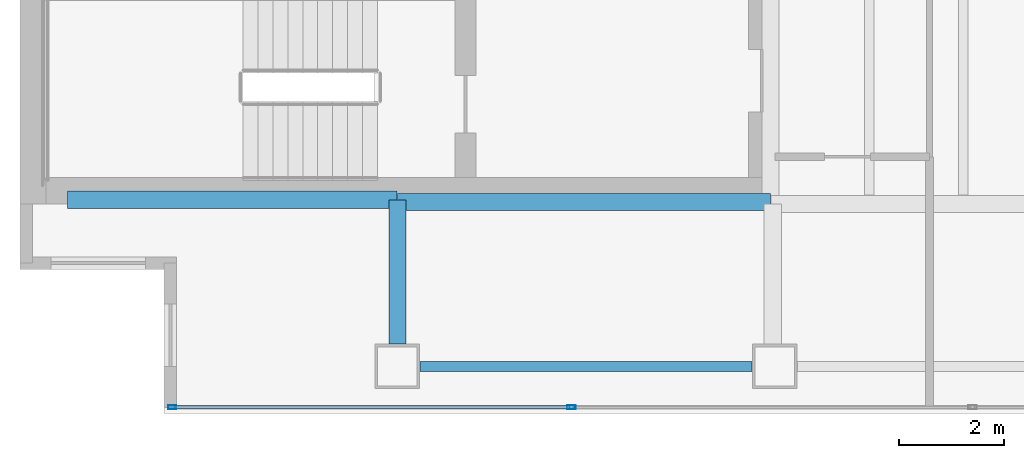
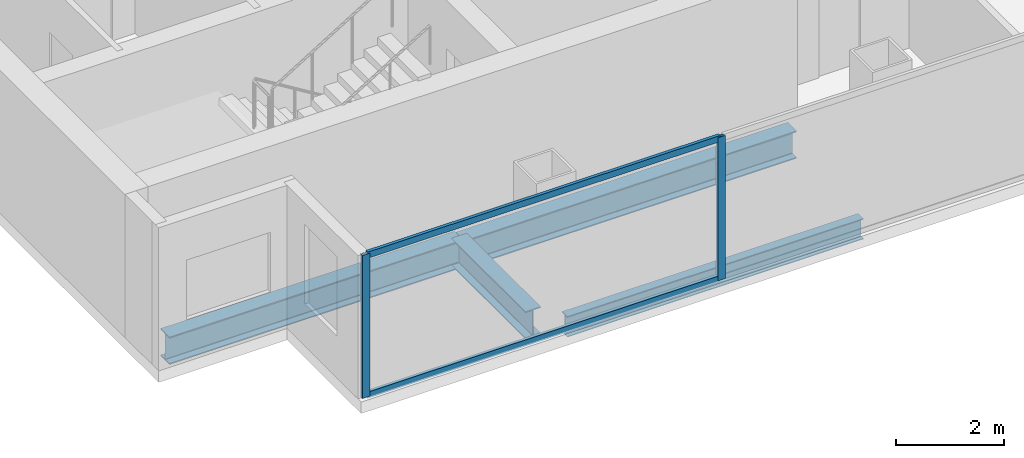
# One storey, part 2 of 23: 4 beams, 4 members, 1 element without a shape of its own.
"""IFC4 building model written with IfcOpenShell, lengths in metres."""

from ifc_helpers import new_model, si_unit, direction, frame, origin, origin_2d, place, context, subcontext, project, spatial, hollow_rectangle, i_section, extrude, material, material_profile, profile_set, type_object, element, aggregate, save


model = new_model("IFC4")

# Units and contexts
model_context = context("Model", 3, precision=1e-05, world=origin(), true_north=direction((0.0, 1.0)))
body_context = subcontext(model_context, "Body", "Model", "MODEL_VIEW")
ifc_project = project(units=[si_unit("LENGTHUNIT", "METRE"), si_unit("AREAUNIT", "SQUARE_METRE"), si_unit("VOLUMEUNIT", "CUBIC_METRE"), si_unit("PLANEANGLEUNIT", "RADIAN"), si_unit("MASSUNIT", "GRAM", prefix="KILO")], contexts=[model_context])

# Site, building, storey
site_placement = place(None, origin())
site = spatial("IfcSite", under=ifc_project, at=site_placement, CompositionType="ELEMENT")
building_placement = place(site_placement, origin())
building = spatial("IfcBuilding", under=site, at=building_placement, Name="Cobrela Telecom Tower", CompositionType="ELEMENT")
storey_placement = place(building_placement, frame((0.0, 0.0, 183.75)))
storey = spatial("IfcBuildingStorey", under=building, at=storey_placement, Name="L46", CompositionType="ELEMENT", Elevation=183.75)

# Beams
ifc_material_1 = material(Name="Steel ASTM A992 Grade 50", Category="steel")
ifc_material_profile_1 = material_profile(ifc_material_1, i_section(OverallWidth=0.327880859375, OverallDepth=0.6220703125, WebThickness=0.015380859375, FlangeThickness=0.0244140625, FilletRadius=0.014892578125, at=origin_2d()), Name="W24X131")
ifc_profile_set_1 = profile_set([ifc_material_profile_1], Name="Steel ASTM A992 Grade 50")
beam_type_1 = type_object("IfcBeamType", Name="BM-GIRD-06", PredefinedType="USERDEFINED", material=ifc_profile_set_1)
beam_1_placement = place(storey_placement, frame((0.905029296875, 7.280029296875, -0.571044921875), z_axis=(1.0, 0.0, 0.0), x_axis=(0.0, 1.0, 0.0)))
element("IfcBeam", 1, at=beam_1_placement, inside=storey, type_object=beam_type_1, Name="L46 Primary Girder X05", ObjectType="GIRDER", PredefinedType="USERDEFINED", context=body_context, shape_type="SweptSolid", body=[
    extrude(i_section(OverallWidth=0.327880859375, OverallDepth=0.6220703125, WebThickness=0.015380859375, FlangeThickness=0.0244140625, FilletRadius=0.014892578125, at=origin_2d()), origin(), (0.0, 0.0, 1.0), 6.2900390625),
])
beam_2_placement = place(storey_placement, frame((7.205078125, 7.239990234375, -0.571044921875), z_axis=(1.0, 0.0, 0.0), x_axis=(0.0, 1.0, 0.0)))
element("IfcBeam", 2, at=beam_2_placement, inside=storey, type_object=beam_type_1, Name="L46 Primary Girder X06", ObjectType="GIRDER", PredefinedType="USERDEFINED", context=body_context, shape_type="SweptSolid", body=[
    extrude(i_section(OverallWidth=0.327880859375, OverallDepth=0.6220703125, WebThickness=0.015380859375, FlangeThickness=0.0244140625, FilletRadius=0.014892578125, at=origin_2d()), origin(), (0.0, 0.0, 1.0), 7.10986328125),
])
beam_3_placement = place(storey_placement, frame((7.199951171875, 4.530029296875, -0.571044921875), z_axis=(0.0, 1.0, 0.0), x_axis=(-1.0, 0.0, 0.0)))
element("IfcBeam", 3, at=beam_3_placement, inside=storey, type_object=beam_type_1, Name="L46 Primary Girder Y24", ObjectType="GIRDER", PredefinedType="USERDEFINED", context=body_context, shape_type="SweptSolid", body=[
    extrude(i_section(OverallWidth=0.327880859375, OverallDepth=0.6220703125, WebThickness=0.015380859375, FlangeThickness=0.0244140625, FilletRadius=0.014892578125, at=origin_2d()), origin(), (0.0, 0.0, 1.0), 2.744873046875),
])
ifc_material_profile_2 = material_profile(ifc_material_1, i_section(OverallWidth=0.193115234375, OverallDepth=0.467041015625, WebThickness=0.011474609375, FlangeThickness=0.01904296875, FilletRadius=0.012939453125, at=origin_2d()), Name="W18X65")
ifc_profile_set_2 = profile_set([ifc_material_profile_2], Name="Steel ASTM A992 Grade 50")
beam_type_2 = type_object("IfcBeamType", Name="BM-SPAND-05", PredefinedType="SPANDREL", material=ifc_profile_set_2)
beam_4_placement = place(storey_placement, frame((7.6298828125, 4.10009765625, -0.493408203125), z_axis=(1.0, 0.0, 0.0), x_axis=(0.0, 1.0, 0.0)))
element("IfcBeam", 4, at=beam_4_placement, inside=storey, type_object=beam_type_2, Name="L46 Perimeter Spandrel X01", PredefinedType="SPANDREL", context=body_context, shape_type="SweptSolid", body=[
    extrude(i_section(OverallWidth=0.193115234375, OverallDepth=0.467041015625, WebThickness=0.011474609375, FlangeThickness=0.01904296875, FilletRadius=0.012939453125, at=origin_2d()), origin(), (0.0, 0.0, 1.0), 6.340087890625),
])

# Curtain wall, members
ifc_material_2 = material(Name="Anodized Bronze Aluminium 6063-T6", Category="aluminium")
curtain_wall_type = type_object("IfcCurtainWallType", Name="CW-SYS-OFF-LO", PredefinedType="USERDEFINED", material=ifc_material_2)
curtain_wall_placement = place(storey_placement, origin())
curtain_wall = element("IfcCurtainWall", 5, at=curtain_wall_placement, inside=storey, type_object=curtain_wall_type, Name="L46 Unitised Bronze Curtain Wall 17", ObjectType="UNITISED CURTAIN WALL", PredefinedType="USERDEFINED")
ifc_material_profile_3 = material_profile(ifc_material_2, hollow_rectangle(XDim=0.070068359375, YDim=0.159912109375, WallThickness=0.00390625, at=origin_2d()), Name="ALU 70x160x4")
ifc_profile_set_3 = profile_set([ifc_material_profile_3], Name="Anodized Bronze Aluminium 6063-T6")
member_type_1 = type_object("IfcMemberType", Name="CW-SYS-OFF-LO-MUL", PredefinedType="MULLION", material=ifc_profile_set_3)
member_1_placement = place(storey_placement, frame((10.52197265625, 3.320068359375, 0.0), z_axis=(0.0, 0.0, 1.0), x_axis=(0.0, -1.0, 0.0)))
member_1 = element("IfcMember", 6, at=member_1_placement, type_object=member_type_1, Name="CW-OFF-LO mullion 5", PredefinedType="MULLION", context=body_context, shape_type="SweptSolid", body=[
    extrude(hollow_rectangle(XDim=0.070068359375, YDim=0.159912109375, WallThickness=0.00390625, at=origin_2d()), origin(), (0.0, 0.0, 1.0), 3.239990234375),
])
member_2_placement = place(storey_placement, frame((2.905029296875, 3.320068359375, 0.0), z_axis=(0.0, 0.0, 1.0), x_axis=(0.0, -1.0, 0.0)))
member_2 = element("IfcMember", 7, at=member_2_placement, type_object=member_type_1, Name="CW-OFF-LO mullion 6", PredefinedType="MULLION", context=body_context, shape_type="SweptSolid", body=[
    extrude(hollow_rectangle(XDim=0.070068359375, YDim=0.159912109375, WallThickness=0.00390625, at=origin_2d()), origin(), (0.0, 0.0, 1.0), 3.239990234375),
])
ifc_material_profile_4 = material_profile(ifc_material_2, hollow_rectangle(XDim=0.070068359375, YDim=0.139892578125, WallThickness=0.00390625, at=origin_2d()), Name="ALU 70x140x4")
ifc_profile_set_4 = profile_set([ifc_material_profile_4], Name="Anodized Bronze Aluminium 6063-T6")
member_type_2 = type_object("IfcMemberType", Name="CW-SYS-OFF-LO-TRN", PredefinedType="USERDEFINED", material=ifc_profile_set_4)
member_3_placement = place(storey_placement, frame((10.487060546875, 3.320068359375, 0.034912109375), z_axis=(-1.0, 0.0, 0.0), x_axis=(0.0, -1.0, 0.0)))
member_3 = element("IfcMember", 8, at=member_3_placement, type_object=member_type_2, Name="CW-OFF-LO transom 5.1", ObjectType="TRANSOM", PredefinedType="USERDEFINED", context=body_context, shape_type="SweptSolid", body=[
    extrude(hollow_rectangle(XDim=0.070068359375, YDim=0.139892578125, WallThickness=0.00390625, at=origin_2d()), origin(), (0.0, 0.0, 1.0), 7.547119140625),
])
member_4_placement = place(storey_placement, frame((10.487060546875, 3.320068359375, 3.205078125), z_axis=(-1.0, 0.0, 0.0), x_axis=(0.0, -1.0, 0.0)))
member_4 = element("IfcMember", 9, at=member_4_placement, type_object=member_type_2, Name="CW-OFF-LO transom 5.2", ObjectType="TRANSOM", PredefinedType="USERDEFINED", context=body_context, shape_type="SweptSolid", body=[
    extrude(hollow_rectangle(XDim=0.070068359375, YDim=0.139892578125, WallThickness=0.00390625, at=origin_2d()), origin(), (0.0, 0.0, 1.0), 7.547119140625),
])
aggregate(curtain_wall, [member_1, member_2, member_3, member_4])

save(model, "model.ifc")
